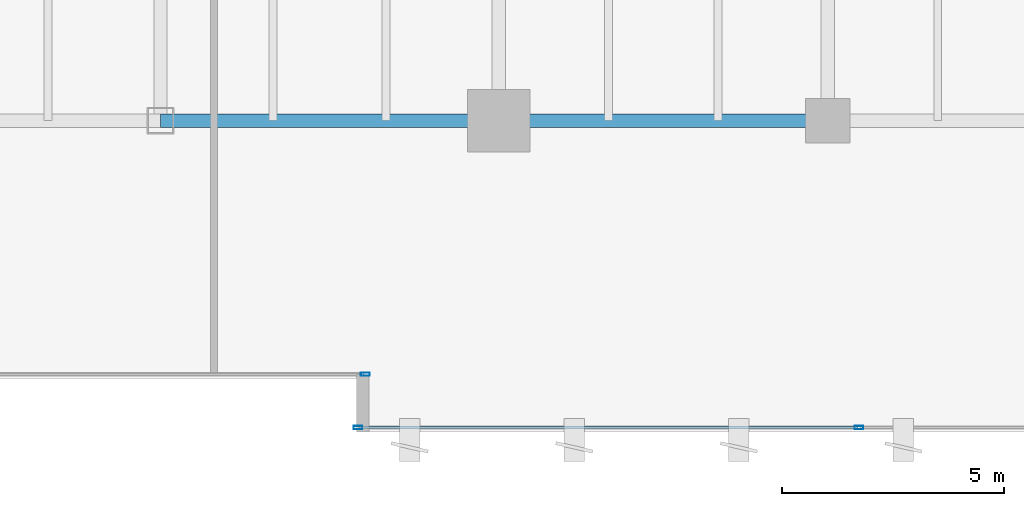
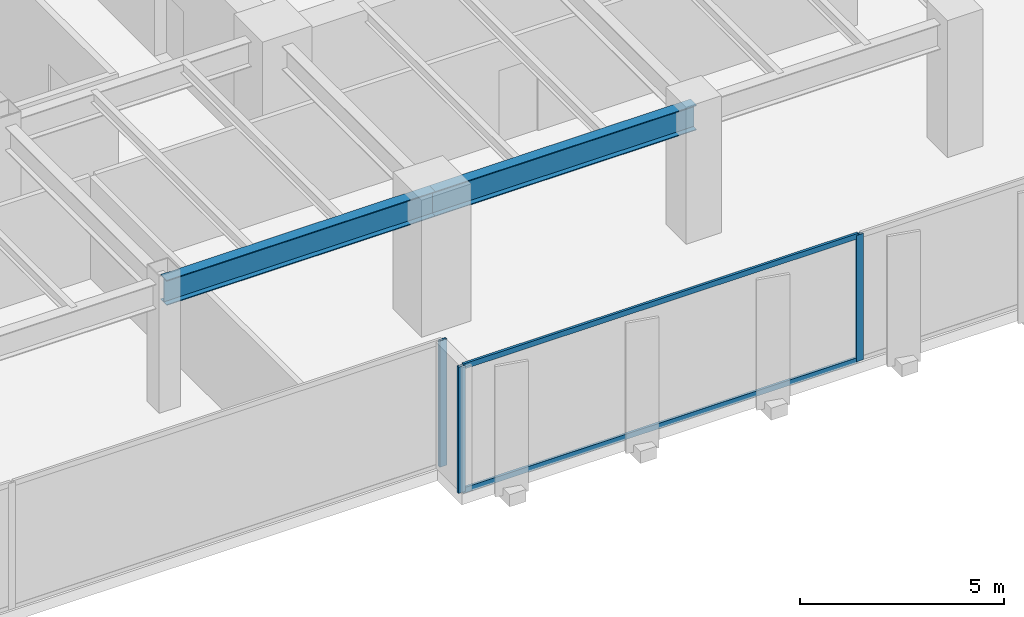
# One storey, part 10 of 36: 5 members, 2 beams, 2 elements without a shape of their own.
"""IFC4 building model written with IfcOpenShell, lengths in metres."""

from ifc_helpers import new_model, si_unit, direction, frame, origin, origin_2d, place, context, subcontext, project, spatial, hollow_rectangle, i_section, extrude, source, transform, mapped, material, layer, layer_set, material_profile, profile_set, type_object, type_shapes, element, aggregate, save


model = new_model("IFC4")

# Units and contexts
model_context = context("Model", 3, precision=1e-05, world=origin(), true_north=direction((0.0, 1.0)))
body_context = subcontext(model_context, "Body", "Model", "MODEL_VIEW")
ifc_project = project(units=[si_unit("LENGTHUNIT", "METRE"), si_unit("AREAUNIT", "SQUARE_METRE"), si_unit("VOLUMEUNIT", "CUBIC_METRE"), si_unit("PLANEANGLEUNIT", "RADIAN"), si_unit("MASSUNIT", "GRAM", prefix="KILO")], contexts=[model_context])

# Site, building, storey
site_placement = place(None, origin())
site = spatial("IfcSite", under=ifc_project, at=site_placement, CompositionType="ELEMENT")
building_placement = place(site_placement, origin())
building = spatial("IfcBuilding", under=site, at=building_placement, Name="Haelvirn Gate Laboratories", CompositionType="ELEMENT")
storey_placement = place(building_placement, frame((0.0, 0.0, 29.300048828125)))
storey = spatial("IfcBuildingStorey", under=building, at=storey_placement, Name="L07", CompositionType="ELEMENT", Elevation=29.300048828125)

# Beams
ifc_material_1 = material(Name="Steel SM355", Category="steel")
ifc_material_profile_1 = material_profile(ifc_material_1, i_section(OverallWidth=0.300048828125, OverallDepth=0.75, WebThickness=0.013916015625, FlangeThickness=0.02392578125, at=origin_2d()), Name="H-750x300x14x24")
ifc_profile_set_1 = profile_set([ifc_material_profile_1], Name="Steel SM355")
beam_type = type_object("IfcBeamType", Name="BM-G-750", PredefinedType="BEAM", material=ifc_profile_set_1)
shared_shape_1 = source(origin(), body_context, "Body", "SweptSolid", [
    extrude(i_section(OverallWidth=0.300048828125, OverallDepth=0.75, WebThickness=0.013916015625, FlangeThickness=0.02392578125, at=origin_2d()), origin(), (0.0, 0.0, 1.0), 7.39990234375),
])
beam_1_placement = place(storey_placement, frame((52.60009765625, 7.0, 3.405029296875), z_axis=(1.0, 0.0, 0.0), x_axis=(0.0, 1.0, 0.0)))
element("IfcBeam", 1, at=beam_1_placement, inside=storey, type_object=beam_type, Name="L07 Primary Girder Y7.0 (52.6-60.0)", PredefinedType="BEAM", context=body_context, shape_type="MappedRepresentation", body=[
    mapped(shared_shape_1, transform((0.0, 0.0, 0.0), scale=1.0)),
])
shared_shape_2 = source(origin(), body_context, "Body", "SweptSolid", [
    extrude(i_section(OverallWidth=0.300048828125, OverallDepth=0.75, WebThickness=0.013916015625, FlangeThickness=0.02392578125, at=origin_2d()), origin(), (0.0, 0.0, 1.0), 7.60009765625),
])
type_shapes(beam_type, [shared_shape_1, shared_shape_2])
beam_2_placement = place(storey_placement, frame((45.0, 7.0, 3.405029296875), z_axis=(1.0, 0.0, 0.0), x_axis=(0.0, 1.0, 0.0)))
element("IfcBeam", 2, at=beam_2_placement, inside=storey, type_object=beam_type, Name="L07 Primary Girder Y7.0 (45.0-52.6)", PredefinedType="BEAM", context=body_context, shape_type="MappedRepresentation", body=[
    mapped(shared_shape_2, transform((0.0, 0.0, 0.0), scale=1.0)),
])

# Curtain wall, member
ifc_material_2 = material(Name="Anodised bronze unitised aluminium & triple low-E glass", Category="aluminium")
ifc_layer = layer(ifc_material_2, 0.18408203125, Name="CW-SYS-2")
ifc_layer_set = layer_set([ifc_layer], Name="Anodised bronze unitised aluminium & triple low-E glass")
curtain_wall_type = type_object("IfcCurtainWallType", Name="CW-SYS-2", PredefinedType="NOTDEFINED", material=ifc_layer_set)
curtain_wall_1_placement = place(storey_placement, origin())
curtain_wall_1 = element("IfcCurtainWall", 3, at=curtain_wall_1_placement, inside=storey, type_object=curtain_wall_type, Name="L07 Unitised Curtain Wall CW-L07-P0-E02-1", PredefinedType="NOTDEFINED")
ifc_material_3 = material(Name="Extruded aluminium 6063-T6 (anodised bronze)", Category="aluminium")
ifc_material_profile_2 = material_profile(ifc_material_3, hollow_rectangle(XDim=0.074951171875, YDim=0.199951171875, WallThickness=0.0048828125, at=origin_2d()), Name="CWM-200x75x5")
ifc_profile_set_2 = profile_set([ifc_material_profile_2], Name="Extruded aluminium 6063-T6 (anodised bronze)")
member_type_1 = type_object("IfcMemberType", Name="CWM-T200", PredefinedType="MULLION", material=ifc_profile_set_2)
shared_shape_3 = source(origin(), body_context, "Body", "SweptSolid", [
    extrude(hollow_rectangle(XDim=0.074951171875, YDim=0.199951171875, WallThickness=0.0048828125, at=origin_2d()), origin(), (0.0, 0.0, 1.0), 3.780029296875),
])
type_shapes(member_type_1, [shared_shape_3])
member_1_placement = place(storey_placement, frame((49.6025390625, 1.300048828125, 0.0), z_axis=(0.0, 0.0, 1.0), x_axis=(0.0, 1.0, 0.0)))
member_1 = element("IfcMember", 4, at=member_1_placement, type_object=member_type_1, Name="CW2 mullion 3", PredefinedType="MULLION", context=body_context, shape_type="MappedRepresentation", body=[
    mapped(shared_shape_3, transform((0.0, 0.0, 0.0), scale=1.0)),
])
aggregate(curtain_wall_1, [member_1])

# Curtain wall, members
curtain_wall_2_placement = place(storey_placement, origin())
curtain_wall_2 = element("IfcCurtainWall", 5, at=curtain_wall_2_placement, inside=storey, type_object=curtain_wall_type, Name="L07 Unitised Curtain Wall CW-L07-P0-E04-1", PredefinedType="NOTDEFINED")
member_2_placement = place(storey_placement, frame((49.4375, 0.10009765625, 0.0), z_axis=(0.0, 0.0, 1.0), x_axis=(0.0, 1.0, 0.0)))
member_2 = element("IfcMember", 6, at=member_2_placement, type_object=member_type_1, Name="CW2 mullion 1", PredefinedType="MULLION", context=body_context, shape_type="MappedRepresentation", body=[
    mapped(shared_shape_3, transform((0.0, 0.0, 0.0), scale=1.0)),
])
member_3_placement = place(storey_placement, frame((60.699951171875, 0.10009765625, 0.0), z_axis=(0.0, 0.0, 1.0), x_axis=(0.0, 1.0, 0.0)))
member_3 = element("IfcMember", 7, at=member_3_placement, type_object=member_type_1, Name="CW2 mullion 2", PredefinedType="MULLION", context=body_context, shape_type="MappedRepresentation", body=[
    mapped(shared_shape_3, transform((0.0, 0.0, 0.0), scale=1.0)),
])
ifc_material_profile_3 = material_profile(ifc_material_3, hollow_rectangle(XDim=0.070068359375, YDim=0.159912109375, WallThickness=0.0048828125, at=origin_2d()), Name="CWT-160x70x5")
ifc_profile_set_3 = profile_set([ifc_material_profile_3], Name="Extruded aluminium 6063-T6 (anodised bronze)")
member_type_2 = type_object("IfcMemberType", Name="CWT-T160", PredefinedType="USERDEFINED", material=ifc_profile_set_3)
shared_shape_4 = source(origin(), body_context, "Body", "SweptSolid", [
    extrude(hollow_rectangle(XDim=0.070068359375, YDim=0.159912109375, WallThickness=0.0048828125, at=origin_2d()), origin(), (0.0, 0.0, 1.0), 11.1875),
])
type_shapes(member_type_2, [shared_shape_4])
member_4_placement = place(storey_placement, frame((49.47509765625, 0.10009765625, 0.034912109375), z_axis=(1.0, 0.0, 0.0), x_axis=(0.0, 1.0, 0.0)))
member_4 = element("IfcMember", 8, at=member_4_placement, type_object=member_type_2, Name="CW2 transom 1.1", ObjectType="TRANSOM", PredefinedType="USERDEFINED", context=body_context, shape_type="MappedRepresentation", body=[
    mapped(shared_shape_4, transform((0.0, 0.0, 0.0), scale=1.0)),
])
member_5_placement = place(storey_placement, frame((49.47509765625, 0.10009765625, 3.744873046875), z_axis=(1.0, 0.0, 0.0), x_axis=(0.0, 1.0, 0.0)))
member_5 = element("IfcMember", 9, at=member_5_placement, type_object=member_type_2, Name="CW2 transom 1.2", ObjectType="TRANSOM", PredefinedType="USERDEFINED", context=body_context, shape_type="MappedRepresentation", body=[
    mapped(shared_shape_4, transform((0.0, 0.0, 0.0), scale=1.0)),
])
aggregate(curtain_wall_2, [member_2, member_3, member_4, member_5])

save(model, "model.ifc")
